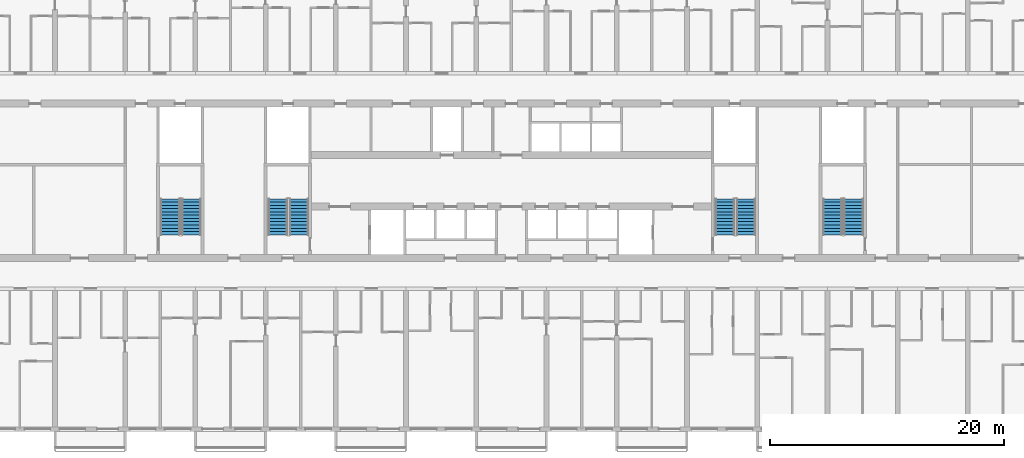
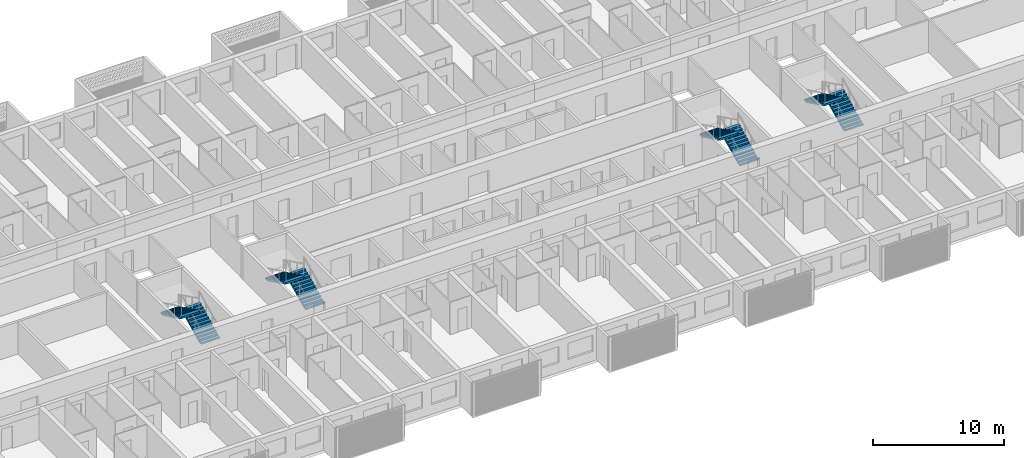
# One storey, part 18 of 38: 8 stair flights, 4 elements without a shape of their own.
"""IFC4 building model written with IfcOpenShell, lengths in metres."""

from ifc_helpers import new_model, si_unit, direction, frame, origin, place, context, subcontext, project, spatial, polyline, outline, extrude, material, layer, layer_set, type_object, element, aggregate, save


model = new_model("IFC4")

# Units and contexts
model_context = context("Model", 3, precision=1e-05, world=origin(), true_north=direction((0.0, 1.0)))
body_context = subcontext(model_context, "Body", "Model", "MODEL_VIEW")
ifc_project = project(units=[si_unit("LENGTHUNIT", "METRE"), si_unit("AREAUNIT", "SQUARE_METRE"), si_unit("VOLUMEUNIT", "CUBIC_METRE"), si_unit("PLANEANGLEUNIT", "RADIAN"), si_unit("MASSUNIT", "GRAM", prefix="KILO")], contexts=[model_context])

# Site, building, storey
site_placement = place(None, origin())
site = spatial("IfcSite", under=ifc_project, at=site_placement, CompositionType="ELEMENT")
building_placement = place(site_placement, origin())
building = spatial("IfcBuilding", under=site, at=building_placement, Name="Poui Terraces", CompositionType="ELEMENT")
storey_placement = place(building_placement, frame((0.0, 0.0, 49.800048828125)))
storey = spatial("IfcBuildingStorey", under=building, at=storey_placement, Name="L13", CompositionType="ELEMENT", Elevation=49.800048828125)

# Stair, stair flights
ifc_material = material(Name="Concrete 80 MPa", Category="concrete")
stair_type = type_object("IfcStairType", Name="EXIT STAIR 1650 80 MPA", PredefinedType="HALF_TURN_STAIR", material=ifc_material)
stair_1_placement = place(storey_placement, origin())
stair_1 = element("IfcStair", 1, at=stair_1_placement, inside=storey, type_object=stair_type, Name="L13 CORE STAIR EAST", PredefinedType="HALF_TURN_STAIR")
ifc_layer = layer(ifc_material, 0.14990234375)
ifc_layer_set = layer_set([ifc_layer], Name="Concrete 80 MPa")
stair_flight_type = type_object("IfcStairFlightType", Name="STAIR FLIGHT 12 RISERS 138 RISE 80 MPA", PredefinedType="STRAIGHT", material=ifc_layer_set)
stair_flight_1_placement = place(storey_placement, frame((71.050048828125, 16.60009765625, 0.0), z_axis=(0.0, 0.0, 1.0), x_axis=(0.0, 1.0, 0.0)))
stair_flight_1 = element("IfcStairFlight", 2, at=stair_flight_1_placement, type_object=stair_flight_type, Name="ST-CE flight 1", NumberOfRisers=12, NumberOfTreads=11, PredefinedType="STRAIGHT", RiserHeight=0.1375, TreadLength=0.28, context=body_context, shape_type="SweptSolid", body=[
    extrude(outline(polyline([(0.0, 0.0), (0.0, 0.137451171875), (0.280029296875, 0.137451171875), (0.280029296875, 0.27490234375), (0.56005859375, 0.27490234375), (0.56005859375, 0.41259765625), (0.840087890625, 0.41259765625), (0.840087890625, 0.550048828125), (1.1201171875, 0.550048828125), (1.1201171875, 0.6875), (1.39990234375, 0.6875), (1.39990234375, 0.824951171875), (1.679931640625, 0.824951171875), (1.679931640625, 0.96240234375), (1.9599609375, 0.96240234375), (1.9599609375, 1.10009765625), (2.239990234375, 1.10009765625), (2.239990234375, 1.237548828125), (2.52001953125, 1.237548828125), (2.52001953125, 1.375), (2.800048828125, 1.375), (2.800048828125, 1.512451171875), (3.080078125, 1.512451171875), (3.080078125, 1.64990234375), (3.080078125, 1.345458984375), (0.340087890625, 0.0), (0.0, 0.0)])), frame((0.0, 0.824951171875, 0.0), z_axis=(0.0, -1.0, 0.0), x_axis=(1.0, 0.0, 0.0)), (0.0, 0.0, 1.0), 1.64990234375),
])
stair_flight_2_placement = place(storey_placement, frame((69.25, 19.679931640625, 1.64990234375), z_axis=(0.0, 0.0, 1.0), x_axis=(0.0, -1.0, 0.0)))
stair_flight_2 = element("IfcStairFlight", 3, at=stair_flight_2_placement, type_object=stair_flight_type, Name="ST-CE flight 2", NumberOfRisers=12, NumberOfTreads=11, PredefinedType="STRAIGHT", RiserHeight=0.1375, TreadLength=0.28, context=body_context, shape_type="SweptSolid", body=[
    extrude(outline(polyline([(0.0, 0.0), (0.0, 0.137451171875), (0.280029296875, 0.137451171875), (0.280029296875, 0.27490234375), (0.56005859375, 0.27490234375), (0.56005859375, 0.41259765625), (0.840087890625, 0.41259765625), (0.840087890625, 0.550048828125), (1.1201171875, 0.550048828125), (1.1201171875, 0.6875), (1.39990234375, 0.6875), (1.39990234375, 0.824951171875), (1.679931640625, 0.824951171875), (1.679931640625, 0.96240234375), (1.9599609375, 0.96240234375), (1.9599609375, 1.10009765625), (2.239990234375, 1.10009765625), (2.239990234375, 1.237548828125), (2.52001953125, 1.237548828125), (2.52001953125, 1.375), (2.800048828125, 1.375), (2.800048828125, 1.512451171875), (3.080078125, 1.512451171875), (3.080078125, 1.64990234375), (3.080078125, 1.345458984375), (0.340087890625, 0.0), (0.0, 0.0)])), frame((0.0, 0.824951171875, 0.0), z_axis=(0.0, -1.0, 0.0), x_axis=(1.0, 0.0, 0.0)), (0.0, 0.0, 1.0), 1.64990234375),
])
aggregate(stair_1, [stair_flight_1, stair_flight_2])

stair_2_placement = place(storey_placement, origin())
stair_2 = element("IfcStair", 4, at=stair_2_placement, inside=storey, type_object=stair_type, Name="L13 CORE STAIR WEST", PredefinedType="HALF_TURN_STAIR")
stair_flight_3_placement = place(storey_placement, frame((32.85009765625, 16.60009765625, 0.0), z_axis=(0.0, 0.0, 1.0), x_axis=(0.0, 1.0, 0.0)))
stair_flight_3 = element("IfcStairFlight", 5, at=stair_flight_3_placement, type_object=stair_flight_type, Name="ST-CW flight 1", NumberOfRisers=12, NumberOfTreads=11, PredefinedType="STRAIGHT", RiserHeight=0.1375, TreadLength=0.28, context=body_context, shape_type="SweptSolid", body=[
    extrude(outline(polyline([(0.0, 0.0), (0.0, 0.137451171875), (0.280029296875, 0.137451171875), (0.280029296875, 0.27490234375), (0.56005859375, 0.27490234375), (0.56005859375, 0.41259765625), (0.840087890625, 0.41259765625), (0.840087890625, 0.550048828125), (1.1201171875, 0.550048828125), (1.1201171875, 0.6875), (1.39990234375, 0.6875), (1.39990234375, 0.824951171875), (1.679931640625, 0.824951171875), (1.679931640625, 0.96240234375), (1.9599609375, 0.96240234375), (1.9599609375, 1.10009765625), (2.239990234375, 1.10009765625), (2.239990234375, 1.237548828125), (2.52001953125, 1.237548828125), (2.52001953125, 1.375), (2.800048828125, 1.375), (2.800048828125, 1.512451171875), (3.080078125, 1.512451171875), (3.080078125, 1.64990234375), (3.080078125, 1.345458984375), (0.340087890625, 0.0), (0.0, 0.0)])), frame((0.0, 0.824951171875, 0.0), z_axis=(0.0, -1.0, 0.0), x_axis=(1.0, 0.0, 0.0)), (0.0, 0.0, 1.0), 1.64990234375),
])
stair_flight_4_placement = place(storey_placement, frame((31.050048828125, 19.679931640625, 1.64990234375), z_axis=(0.0, 0.0, 1.0), x_axis=(0.0, -1.0, 0.0)))
stair_flight_4 = element("IfcStairFlight", 6, at=stair_flight_4_placement, type_object=stair_flight_type, Name="ST-CW flight 2", NumberOfRisers=12, NumberOfTreads=11, PredefinedType="STRAIGHT", RiserHeight=0.1375, TreadLength=0.28, context=body_context, shape_type="SweptSolid", body=[
    extrude(outline(polyline([(0.0, 0.0), (0.0, 0.137451171875), (0.280029296875, 0.137451171875), (0.280029296875, 0.27490234375), (0.56005859375, 0.27490234375), (0.56005859375, 0.41259765625), (0.840087890625, 0.41259765625), (0.840087890625, 0.550048828125), (1.1201171875, 0.550048828125), (1.1201171875, 0.6875), (1.39990234375, 0.6875), (1.39990234375, 0.824951171875), (1.679931640625, 0.824951171875), (1.679931640625, 0.96240234375), (1.9599609375, 0.96240234375), (1.9599609375, 1.10009765625), (2.239990234375, 1.10009765625), (2.239990234375, 1.237548828125), (2.52001953125, 1.237548828125), (2.52001953125, 1.375), (2.800048828125, 1.375), (2.800048828125, 1.512451171875), (3.080078125, 1.512451171875), (3.080078125, 1.64990234375), (3.080078125, 1.345458984375), (0.340087890625, 0.0), (0.0, 0.0)])), frame((0.0, 0.824951171875, 0.0), z_axis=(0.0, -1.0, 0.0), x_axis=(1.0, 0.0, 0.0)), (0.0, 0.0, 1.0), 1.64990234375),
])
aggregate(stair_2, [stair_flight_3, stair_flight_4])

stair_3_placement = place(storey_placement, origin())
stair_3 = element("IfcStair", 7, at=stair_3_placement, inside=storey, type_object=stair_type, Name="L13 TIP STAIR EAST", PredefinedType="HALF_TURN_STAIR")
stair_flight_5_placement = place(storey_placement, frame((80.25, 16.60009765625, 0.0), z_axis=(0.0, 0.0, 1.0), x_axis=(0.0, 1.0, 0.0)))
stair_flight_5 = element("IfcStairFlight", 8, at=stair_flight_5_placement, type_object=stair_flight_type, Name="ST-E flight 1", NumberOfRisers=12, NumberOfTreads=11, PredefinedType="STRAIGHT", RiserHeight=0.1375, TreadLength=0.28, context=body_context, shape_type="SweptSolid", body=[
    extrude(outline(polyline([(0.0, 0.0), (0.0, 0.137451171875), (0.280029296875, 0.137451171875), (0.280029296875, 0.27490234375), (0.56005859375, 0.27490234375), (0.56005859375, 0.41259765625), (0.840087890625, 0.41259765625), (0.840087890625, 0.550048828125), (1.1201171875, 0.550048828125), (1.1201171875, 0.6875), (1.39990234375, 0.6875), (1.39990234375, 0.824951171875), (1.679931640625, 0.824951171875), (1.679931640625, 0.96240234375), (1.9599609375, 0.96240234375), (1.9599609375, 1.10009765625), (2.239990234375, 1.10009765625), (2.239990234375, 1.237548828125), (2.52001953125, 1.237548828125), (2.52001953125, 1.375), (2.800048828125, 1.375), (2.800048828125, 1.512451171875), (3.080078125, 1.512451171875), (3.080078125, 1.64990234375), (3.080078125, 1.345458984375), (0.340087890625, 0.0), (0.0, 0.0)])), frame((0.0, 0.824951171875, 0.0), z_axis=(0.0, -1.0, 0.0), x_axis=(1.0, 0.0, 0.0)), (0.0, 0.0, 1.0), 1.64990234375),
])
stair_flight_6_placement = place(storey_placement, frame((78.449951171875, 19.679931640625, 1.64990234375), z_axis=(0.0, 0.0, 1.0), x_axis=(0.0, -1.0, 0.0)))
stair_flight_6 = element("IfcStairFlight", 9, at=stair_flight_6_placement, type_object=stair_flight_type, Name="ST-E flight 2", NumberOfRisers=12, NumberOfTreads=11, PredefinedType="STRAIGHT", RiserHeight=0.1375, TreadLength=0.28, context=body_context, shape_type="SweptSolid", body=[
    extrude(outline(polyline([(0.0, 0.0), (0.0, 0.137451171875), (0.280029296875, 0.137451171875), (0.280029296875, 0.27490234375), (0.56005859375, 0.27490234375), (0.56005859375, 0.41259765625), (0.840087890625, 0.41259765625), (0.840087890625, 0.550048828125), (1.1201171875, 0.550048828125), (1.1201171875, 0.6875), (1.39990234375, 0.6875), (1.39990234375, 0.824951171875), (1.679931640625, 0.824951171875), (1.679931640625, 0.96240234375), (1.9599609375, 0.96240234375), (1.9599609375, 1.10009765625), (2.239990234375, 1.10009765625), (2.239990234375, 1.237548828125), (2.52001953125, 1.237548828125), (2.52001953125, 1.375), (2.800048828125, 1.375), (2.800048828125, 1.512451171875), (3.080078125, 1.512451171875), (3.080078125, 1.64990234375), (3.080078125, 1.345458984375), (0.340087890625, 0.0), (0.0, 0.0)])), frame((0.0, 0.824951171875, 0.0), z_axis=(0.0, -1.0, 0.0), x_axis=(1.0, 0.0, 0.0)), (0.0, 0.0, 1.0), 1.64990234375),
])
aggregate(stair_3, [stair_flight_5, stair_flight_6])

stair_4_placement = place(storey_placement, origin())
stair_4 = element("IfcStair", 10, at=stair_4_placement, inside=storey, type_object=stair_type, Name="L13 TIP STAIR WEST", PredefinedType="HALF_TURN_STAIR")
stair_flight_7_placement = place(storey_placement, frame((23.64990234375, 16.60009765625, 0.0), z_axis=(0.0, 0.0, 1.0), x_axis=(0.0, 1.0, 0.0)))
stair_flight_7 = element("IfcStairFlight", 11, at=stair_flight_7_placement, type_object=stair_flight_type, Name="ST-W flight 1", NumberOfRisers=12, NumberOfTreads=11, PredefinedType="STRAIGHT", RiserHeight=0.1375, TreadLength=0.28, context=body_context, shape_type="SweptSolid", body=[
    extrude(outline(polyline([(0.0, 0.0), (0.0, 0.137451171875), (0.280029296875, 0.137451171875), (0.280029296875, 0.27490234375), (0.56005859375, 0.27490234375), (0.56005859375, 0.41259765625), (0.840087890625, 0.41259765625), (0.840087890625, 0.550048828125), (1.1201171875, 0.550048828125), (1.1201171875, 0.6875), (1.39990234375, 0.6875), (1.39990234375, 0.824951171875), (1.679931640625, 0.824951171875), (1.679931640625, 0.96240234375), (1.9599609375, 0.96240234375), (1.9599609375, 1.10009765625), (2.239990234375, 1.10009765625), (2.239990234375, 1.237548828125), (2.52001953125, 1.237548828125), (2.52001953125, 1.375), (2.800048828125, 1.375), (2.800048828125, 1.512451171875), (3.080078125, 1.512451171875), (3.080078125, 1.64990234375), (3.080078125, 1.345458984375), (0.340087890625, 0.0), (0.0, 0.0)])), frame((0.0, 0.824951171875, 0.0), z_axis=(0.0, -1.0, 0.0), x_axis=(1.0, 0.0, 0.0)), (0.0, 0.0, 1.0), 1.64990234375),
])
stair_flight_8_placement = place(storey_placement, frame((21.85009765625, 19.679931640625, 1.64990234375), z_axis=(0.0, 0.0, 1.0), x_axis=(0.0, -1.0, 0.0)))
stair_flight_8 = element("IfcStairFlight", 12, at=stair_flight_8_placement, type_object=stair_flight_type, Name="ST-W flight 2", NumberOfRisers=12, NumberOfTreads=11, PredefinedType="STRAIGHT", RiserHeight=0.1375, TreadLength=0.28, context=body_context, shape_type="SweptSolid", body=[
    extrude(outline(polyline([(0.0, 0.0), (0.0, 0.137451171875), (0.280029296875, 0.137451171875), (0.280029296875, 0.27490234375), (0.56005859375, 0.27490234375), (0.56005859375, 0.41259765625), (0.840087890625, 0.41259765625), (0.840087890625, 0.550048828125), (1.1201171875, 0.550048828125), (1.1201171875, 0.6875), (1.39990234375, 0.6875), (1.39990234375, 0.824951171875), (1.679931640625, 0.824951171875), (1.679931640625, 0.96240234375), (1.9599609375, 0.96240234375), (1.9599609375, 1.10009765625), (2.239990234375, 1.10009765625), (2.239990234375, 1.237548828125), (2.52001953125, 1.237548828125), (2.52001953125, 1.375), (2.800048828125, 1.375), (2.800048828125, 1.512451171875), (3.080078125, 1.512451171875), (3.080078125, 1.64990234375), (3.080078125, 1.345458984375), (0.340087890625, 0.0), (0.0, 0.0)])), frame((0.0, 0.824951171875, 0.0), z_axis=(0.0, -1.0, 0.0), x_axis=(1.0, 0.0, 0.0)), (0.0, 0.0, 1.0), 1.64990234375),
])
aggregate(stair_4, [stair_flight_7, stair_flight_8])

save(model, "model.ifc")
